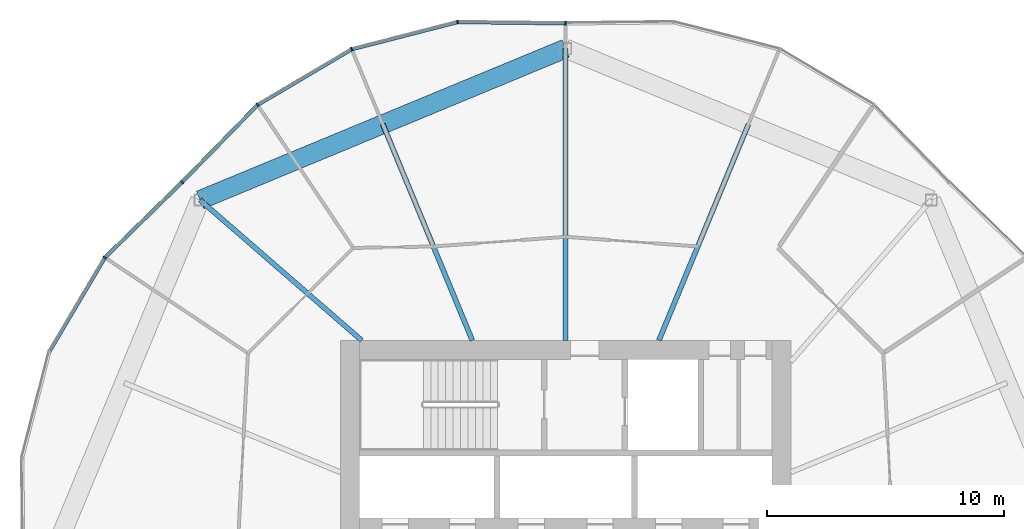
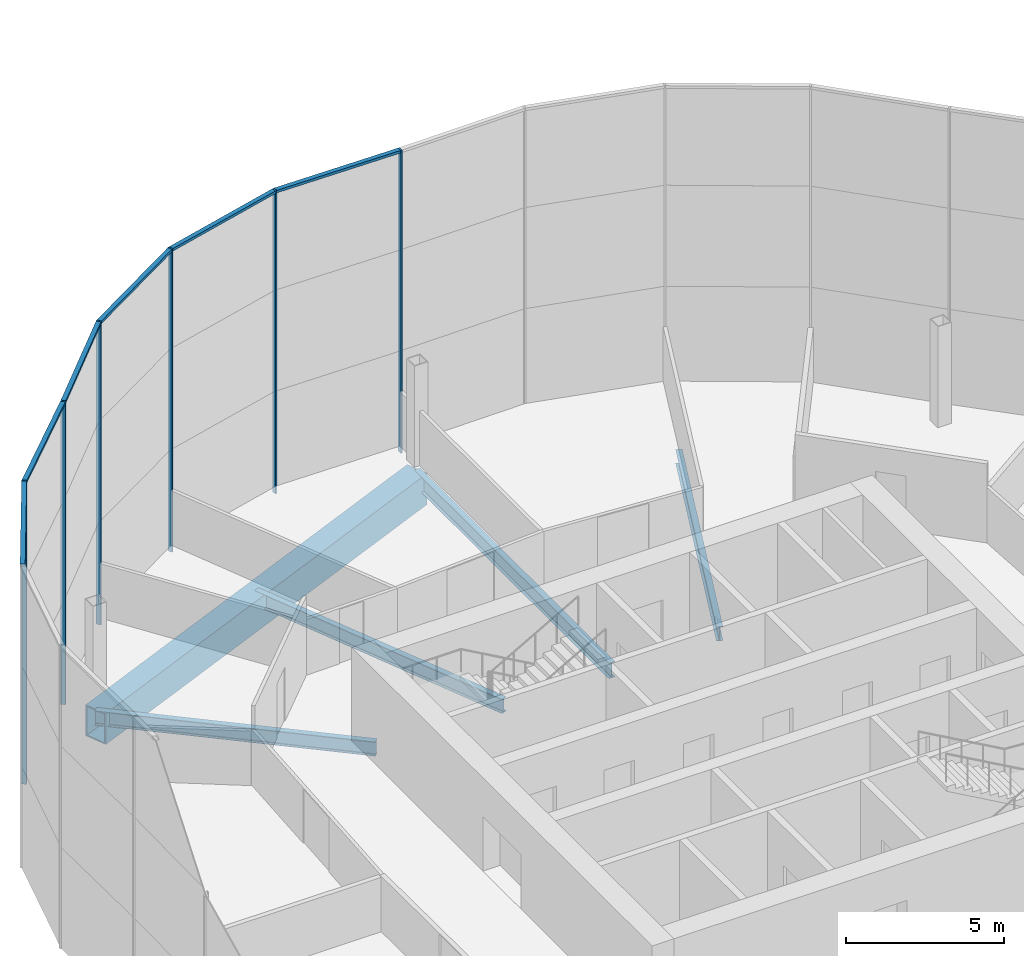
# One storey, part 8 of 25: 12 members, 5 beams, 3 elements without a shape of their own.
"""IFC4 building model written with IfcOpenShell, lengths in metres."""

from ifc_helpers import new_model, si_unit, direction, frame, origin, origin_2d, place, context, subcontext, project, spatial, rectangle, hollow_rectangle, i_section, extrude, material, material_profile, profile_set, type_object, element, aggregate, save


model = new_model("IFC4")

# Units and contexts
model_context = context("Model", 3, precision=1e-05, world=origin(), true_north=direction((0.0, 1.0)))
body_context = subcontext(model_context, "Body", "Model", "MODEL_VIEW")
ifc_project = project(units=[si_unit("LENGTHUNIT", "METRE"), si_unit("AREAUNIT", "SQUARE_METRE"), si_unit("VOLUMEUNIT", "CUBIC_METRE"), si_unit("PLANEANGLEUNIT", "RADIAN"), si_unit("MASSUNIT", "GRAM", prefix="KILO")], contexts=[model_context])

# Site, building, storey
site_placement = place(None, origin())
site = spatial("IfcSite", under=ifc_project, at=site_placement, CompositionType="ELEMENT")
building_placement = place(site_placement, origin())
building = spatial("IfcBuilding", under=site, at=building_placement, Name="Ogive Gate Towers", CompositionType="ELEMENT")
storey_placement = place(building_placement, frame((0.0, 0.0, 44.10009765625)))
storey = spatial("IfcBuildingStorey", under=building, at=storey_placement, Name="L09", CompositionType="ELEMENT", Elevation=44.10009765625)

# Beams
ifc_material_1 = material(Name="Steel SM460", Category="steel")
ifc_material_profile_1 = material_profile(ifc_material_1, hollow_rectangle(XDim=0.800048828125, YDim=1.199951171875, WallThickness=0.050048828125, at=origin_2d()), Name="BX 1200x800x50")
ifc_profile_set_1 = profile_set([ifc_material_profile_1], Name="Steel SM460")
beam_type_1 = type_object("IfcBeamType", Name="Edge girder BX 1200x800x50", PredefinedType="BEAM", material=ifc_profile_set_1)
beam_1_placement = place(storey_placement, frame((-36.0, 21.81005859375, -0.900146484375), z_axis=(-0.923881893128, -0.382677733282, 0.0), x_axis=(0.382677733282, -0.923881893128, 0.0)))
element("IfcBeam", 1, at=beam_1_placement, inside=storey, type_object=beam_type_1, Name="T1/L09/SBM022", PredefinedType="BEAM", context=body_context, shape_type="SweptSolid", body=[
    extrude(hollow_rectangle(XDim=0.800048828125, YDim=1.199951171875, WallThickness=0.050048828125, at=origin_2d()), origin(), (0.0, 0.0, 1.0), 16.692626953125),
])
ifc_material_2 = material(Name="Steel SM355", Category="steel")
ifc_material_profile_2 = material_profile(ifc_material_2, i_section(OverallWidth=0.2099609375, OverallDepth=0.550048828125, WebThickness=0.010986328125, FlangeThickness=0.01708984375, FilletRadius=0.02392578125, at=origin_2d()), Name="IPE 550")
ifc_profile_set_2 = profile_set([ifc_material_profile_2], Name="Steel SM355")
beam_type_2 = type_object("IfcBeamType", Name="Radial floor beam IPE 550", PredefinedType="BEAM", material=ifc_profile_set_2)
for number, where, z_axis, x_axis, name in (
    (2, (-32.06494140625, 9.5, -0.5751953125), (0.38267666976, 0.923882333645, 0.0), (-0.923882333645, 0.38267666976, 0.0), "T1/L09/SBM010"),
    (3, (-39.93505859375, 9.5, -0.5751953125), (-0.38267666976, 0.923882333645, 0.0), (-0.923882333645, -0.38267666976, 0.0), "T1/L09/SBM012"),
):
    element("IfcBeam", number, at=place(storey_placement, frame(where, z_axis=z_axis, x_axis=x_axis)), inside=storey, type_object=beam_type_2, Name=name, PredefinedType="BEAM", context=body_context, shape_type="SweptSolid", body=[
        extrude(i_section(OverallWidth=0.2099609375, OverallDepth=0.550048828125, WebThickness=0.010986328125, FlangeThickness=0.01708984375, FilletRadius=0.02392578125, at=origin_2d()), origin(), (0.0, 0.0, 1.0), 9.866943359375),
    ])
beam_2_placement = place(storey_placement, frame((-44.60009765625, 9.5, -0.5751953125), z_axis=(-0.755157389596, 0.655543527875, 0.0), x_axis=(-0.655543527875, -0.755157389596, 0.0)))
element("IfcBeam", 4, at=beam_2_placement, inside=storey, type_object=beam_type_2, Name="T1/L09/SBM013", PredefinedType="BEAM", context=body_context, shape_type="SweptSolid", body=[
    extrude(i_section(OverallWidth=0.2099609375, OverallDepth=0.550048828125, WebThickness=0.010986328125, FlangeThickness=0.01708984375, FilletRadius=0.02392578125, at=origin_2d()), origin(), (0.0, 0.0, 1.0), 9.033935546875),
])
ifc_material_profile_3 = material_profile(ifc_material_2, i_section(OverallWidth=0.219970703125, OverallDepth=0.60009765625, WebThickness=0.011962890625, FlangeThickness=0.01904296875, FilletRadius=0.02392578125, at=origin_2d()), Name="IPE 600")
ifc_profile_set_3 = profile_set([ifc_material_profile_3], Name="Steel SM355")
beam_type_3 = type_object("IfcBeamType", Name="Radial floor beam IPE 600", PredefinedType="BEAM", material=ifc_profile_set_3)
beam_3_placement = place(storey_placement, frame((-36.0, 9.5, -0.60009765625), z_axis=(0.0, 1.0, 0.0), x_axis=(-1.0, 0.0, 0.0)))
element("IfcBeam", 5, at=beam_3_placement, inside=storey, type_object=beam_type_3, Name="T1/L09/SBM011", PredefinedType="BEAM", context=body_context, shape_type="SweptSolid", body=[
    extrude(i_section(OverallWidth=0.219970703125, OverallDepth=0.60009765625, WebThickness=0.011962890625, FlangeThickness=0.01904296875, FilletRadius=0.02392578125, at=origin_2d()), origin(), (0.0, 0.0, 1.0), 12.31005859375),
])

# Curtain wall, member
ifc_material_3 = material(Name="Pale metal aluminium", Category="aluminium")
curtain_wall_type = type_object("IfcCurtainWallType", Name="Tower unitised wall, low zone", PredefinedType="NOTDEFINED", material=ifc_material_3)
curtain_wall_1_placement = place(storey_placement, origin())
curtain_wall_1 = element("IfcCurtainWall", 6, at=curtain_wall_1_placement, inside=storey, type_object=curtain_wall_type, Name="CW1 T1 ECW02", PredefinedType="NOTDEFINED")
ifc_material_profile_4 = material_profile(ifc_material_3, rectangle(XDim=0.159912109375, YDim=0.06005859375, at=origin_2d()), Name="60 x 160 aluminium box")
ifc_profile_set_4 = profile_set([ifc_material_profile_4], Name="Pale metal aluminium")
member_type_1 = type_object("IfcMemberType", Name="Tower unitised wall, low zone mullion 60 x 160", PredefinedType="MULLION", material=ifc_profile_set_4)
member_1_placement = place(storey_placement, frame((-35.999755859375, 22.8798828125, -0.300048828125), z_axis=(0.0, 0.0, 1.0), x_axis=(-0.011501466179, 0.99993385595, 0.0)))
member_1 = element("IfcMember", 7, at=member_1_placement, type_object=member_type_1, Name="CW1 mullion", PredefinedType="MULLION", context=body_context, shape_type="SweptSolid", body=[
    extrude(rectangle(XDim=0.159912109375, YDim=0.06005859375, at=origin_2d()), origin(), (0.0, 0.0, 1.0), 11.699951171875),
])
aggregate(curtain_wall_1, [member_1])

# Curtain wall, members
curtain_wall_2_placement = place(storey_placement, origin())
curtain_wall_2 = element("IfcCurtainWall", 8, at=curtain_wall_2_placement, inside=storey, type_object=curtain_wall_type, Name="CW1 T1 ECW03", PredefinedType="NOTDEFINED")
member_2_placement = place(storey_placement, frame((-40.555419921875, 22.9326171875, -0.300048828125), z_axis=(0.0, 0.0, 1.0), x_axis=(-0.119547703651, 0.992828457767, 0.0)))
member_2 = element("IfcMember", 9, at=member_2_placement, type_object=member_type_1, Name="CW1 mullion", PredefinedType="MULLION", context=body_context, shape_type="SweptSolid", body=[
    extrude(rectangle(XDim=0.159912109375, YDim=0.06005859375, at=origin_2d()), origin(), (0.0, 0.0, 1.0), 11.699951171875),
])
member_3_placement = place(storey_placement, frame((-45.02392578125, 21.785888671875, -0.300048828125), z_axis=(0.0, 0.0, 1.0), x_axis=(-0.382683432365, 0.923879532511, 0.0)))
member_3 = element("IfcMember", 10, at=member_3_placement, type_object=member_type_1, Name="CW1 mullion", PredefinedType="MULLION", context=body_context, shape_type="SweptSolid", body=[
    extrude(rectangle(XDim=0.159912109375, YDim=0.06005859375, at=origin_2d()), origin(), (0.0, 0.0, 1.0), 11.699951171875),
])
member_4_placement = place(storey_placement, frame((-48.99462890625, 19.43701171875, -0.300048828125), z_axis=(0.0, 0.0, 1.0), x_axis=(-0.617516471235, 0.786557949393, 0.0)))
member_4 = element("IfcMember", 11, at=member_4_placement, type_object=member_type_1, Name="CW1 mullion", PredefinedType="MULLION", context=body_context, shape_type="SweptSolid", body=[
    extrude(rectangle(XDim=0.159912109375, YDim=0.06005859375, at=origin_2d()), origin(), (0.0, 0.0, 1.0), 11.699951171875),
])
member_5_placement = place(storey_placement, frame((-52.178466796875, 16.1787109375, -0.300048828125), z_axis=(0.0, 0.0, 1.0), x_axis=(-0.715204973482, 0.698914762976, 0.0)))
member_5 = element("IfcMember", 12, at=member_5_placement, type_object=member_type_1, Name="CW1 mullion", PredefinedType="MULLION", context=body_context, shape_type="SweptSolid", body=[
    extrude(rectangle(XDim=0.159912109375, YDim=0.06005859375, at=origin_2d()), origin(), (0.0, 0.0, 1.0), 11.699951171875),
])

# Curtain wall, member
curtain_wall_3_placement = place(storey_placement, origin())
curtain_wall_3 = element("IfcCurtainWall", 13, at=curtain_wall_3_placement, inside=storey, type_object=curtain_wall_type, Name="CW1 T1 ECW04", PredefinedType="NOTDEFINED")
member_6_placement = place(storey_placement, frame((-55.43701171875, 12.99462890625, -0.300048828125), z_axis=(0.0, 0.0, 1.0), x_axis=(-0.786557949393, 0.617516471235, 0.0)))
member_6 = element("IfcMember", 14, at=member_6_placement, type_object=member_type_1, Name="CW1 mullion", PredefinedType="MULLION", context=body_context, shape_type="SweptSolid", body=[
    extrude(rectangle(XDim=0.159912109375, YDim=0.06005859375, at=origin_2d()), origin(), (0.0, 0.0, 1.0), 11.699951171875),
])

# Member
ifc_material_profile_5 = material_profile(ifc_material_3, rectangle(XDim=0.159912109375, YDim=0.10009765625, at=origin_2d()), Name="100 x 160 aluminium box")
ifc_profile_set_5 = profile_set([ifc_material_profile_5], Name="Pale metal aluminium")
member_type_2 = type_object("IfcMemberType", Name="Tower unitised wall, low zone transom 100 x 160", PredefinedType="USERDEFINED", material=ifc_profile_set_5)
member_7_placement = place(storey_placement, frame((-36.0302734375, 22.88037109375, 11.349853515625), z_axis=(-0.999933789779, 0.011507217644, 0.0), x_axis=(-0.011507217644, -0.999933789779, 0.0)))
member_7 = element("IfcMember", 15, at=member_7_placement, type_object=member_type_2, Name="CW1 transom", ObjectType="TRANSOM", PredefinedType="USERDEFINED", context=body_context, shape_type="SweptSolid", body=[
    extrude(rectangle(XDim=0.159912109375, YDim=0.10009765625, at=origin_2d()), origin(), (0.0, 0.0, 1.0), 4.497802734375),
])

member_8_placement = place(storey_placement, frame((-40.581787109375, 22.925537109375, 11.349853515625), z_axis=(-0.968624541573, -0.248528665272, 0.0), x_axis=(0.248528665272, -0.968624541573, 0.0)))
member_8 = element("IfcMember", 16, at=member_8_placement, type_object=member_type_2, Name="CW1 transom", ObjectType="TRANSOM", PredefinedType="USERDEFINED", context=body_context, shape_type="SweptSolid", body=[
    extrude(rectangle(XDim=0.159912109375, YDim=0.10009765625, at=origin_2d()), origin(), (0.0, 0.0, 1.0), 4.55908203125),
])

member_9_placement = place(storey_placement, frame((-45.04736328125, 21.77197265625, 11.349853515625), z_axis=(-0.860670555769, -0.509162247651, 0.0), x_axis=(0.509162247651, -0.860670555769, 0.0)))
member_9 = element("IfcMember", 17, at=member_9_placement, type_object=member_type_2, Name="CW1 transom", ObjectType="TRANSOM", PredefinedType="USERDEFINED", context=body_context, shape_type="SweptSolid", body=[
    extrude(rectangle(XDim=0.159912109375, YDim=0.10009765625, at=origin_2d()), origin(), (0.0, 0.0, 1.0), 4.55908203125),
])

member_10_placement = place(storey_placement, frame((-49.013916015625, 19.417236328125, 11.349853515625), z_axis=(-0.698890670971, -0.715228515951, 0.0), x_axis=(0.715228515951, -0.698890670971, 0.0)))
member_10 = element("IfcMember", 18, at=member_10_placement, type_object=member_type_2, Name="CW1 transom", ObjectType="TRANSOM", PredefinedType="USERDEFINED", context=body_context, shape_type="SweptSolid", body=[
    extrude(rectangle(XDim=0.159912109375, YDim=0.10009765625, at=origin_2d()), origin(), (0.0, 0.0, 1.0), 4.497802734375),
])

aggregate(curtain_wall_2, [member_2, member_7, member_3, member_8, member_4, member_9, member_5, member_10])

member_11_placement = place(storey_placement, frame((-52.2001953125, 16.157470703125, 11.349853515625), z_axis=(-0.715228515951, -0.698890670971, 0.0), x_axis=(0.698890670971, -0.715228515951, 0.0)))
member_11 = element("IfcMember", 19, at=member_11_placement, type_object=member_type_2, Name="CW1 transom", ObjectType="TRANSOM", PredefinedType="USERDEFINED", context=body_context, shape_type="SweptSolid", body=[
    extrude(rectangle(XDim=0.159912109375, YDim=0.10009765625, at=origin_2d()), origin(), (0.0, 0.0, 1.0), 4.497802734375),
])

member_12_placement = place(storey_placement, frame((-55.45068359375, 12.97119140625, 11.349853515625), z_axis=(-0.509162247651, -0.860670555769, 0.0), x_axis=(0.860670555769, -0.509162247651, 0.0)))
member_12 = element("IfcMember", 20, at=member_12_placement, type_object=member_type_2, Name="CW1 transom", ObjectType="TRANSOM", PredefinedType="USERDEFINED", context=body_context, shape_type="SweptSolid", body=[
    extrude(rectangle(XDim=0.159912109375, YDim=0.10009765625, at=origin_2d()), origin(), (0.0, 0.0, 1.0), 4.55908203125),
])

aggregate(curtain_wall_3, [member_6, member_11, member_12])

save(model, "model.ifc")
